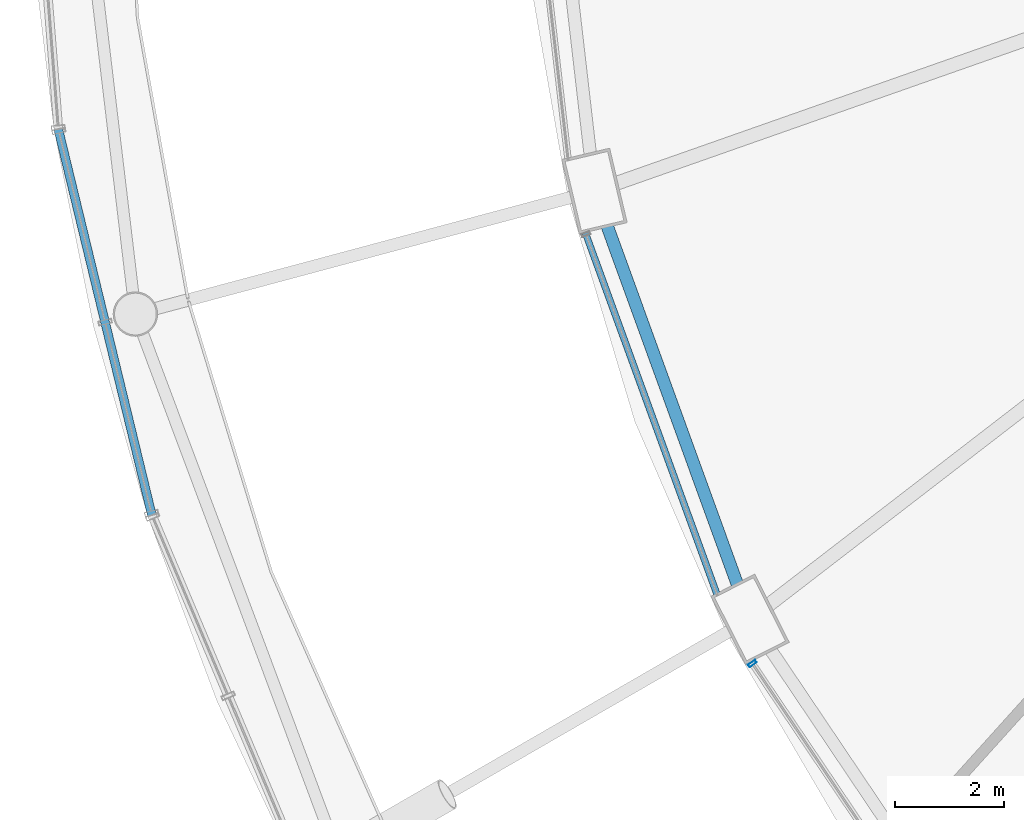
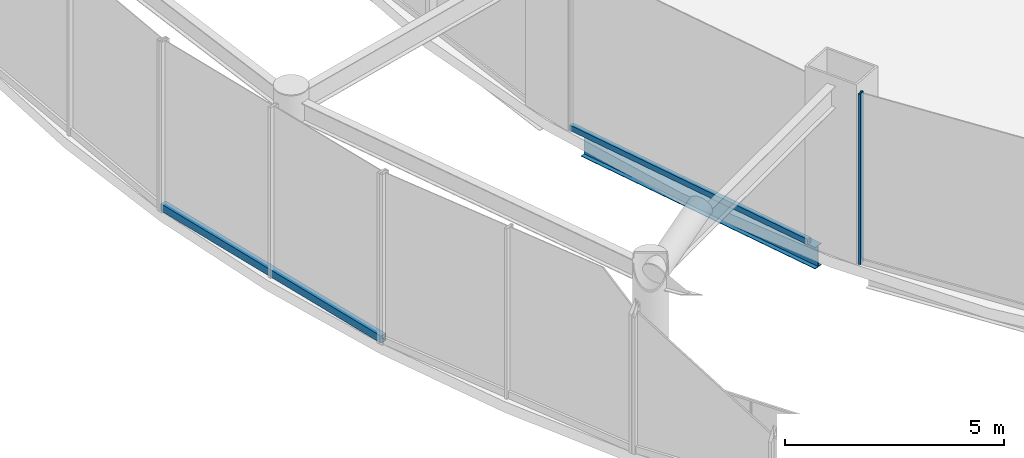
# One storey, part 6 of 52: 3 members, 1 beam, 3 elements without a shape of their own.
"""IFC4 building model written with IfcOpenShell, lengths in metres."""

from ifc_helpers import new_model, si_unit, direction, frame, origin, origin_2d, place, context, subcontext, project, spatial, hollow_rectangle, i_section, extrude, material, layer, layer_set, material_profile, profile_set, type_object, element, aggregate, save


model = new_model("IFC4")

# Units and contexts
model_context = context("Model", 3, precision=1e-05, world=origin(), true_north=direction((0.0, 1.0)))
body_context = subcontext(model_context, "Body", "Model", "MODEL_VIEW")
ifc_project = project(units=[si_unit("LENGTHUNIT", "METRE"), si_unit("AREAUNIT", "SQUARE_METRE"), si_unit("VOLUMEUNIT", "CUBIC_METRE"), si_unit("PLANEANGLEUNIT", "RADIAN"), si_unit("MASSUNIT", "GRAM", prefix="KILO")], contexts=[model_context])

# Site, building, storey
site_placement = place(None, origin())
site = spatial("IfcSite", under=ifc_project, at=site_placement, CompositionType="ELEMENT")
building_placement = place(site_placement, origin())
building = spatial("IfcBuilding", under=site, at=building_placement, Name="Nagisa Residences", CompositionType="ELEMENT")
storey_placement = place(building_placement, frame((0.0, 0.0, 22.0)))
storey = spatial("IfcBuildingStorey", under=building, at=storey_placement, Name="L04", CompositionType="ELEMENT", Elevation=22.0)

# Curtain wall, member
ifc_material_1 = material(Name="Stainless steel curtain wall system", Category="steel")
ifc_layer_1 = layer(ifc_material_1, 0.159912109375)
ifc_layer_set_1 = layer_set([ifc_layer_1], Name="CW3 CURTAIN WALL")
curtain_wall_type_1 = type_object("IfcCurtainWallType", Name="CW3 CURTAIN WALL", PredefinedType="NOTDEFINED", material=ifc_layer_set_1)
curtain_wall_1_placement = place(storey_placement, origin())
curtain_wall_1 = element("IfcCurtainWall", 1, at=curtain_wall_1_placement, inside=storey, type_object=curtain_wall_type_1, Name="cw:CW3:L04:19", PredefinedType="NOTDEFINED")
ifc_material_2 = material(Name="Stainless steel", Category="steel")
ifc_material_profile_1 = material_profile(ifc_material_2, hollow_rectangle(XDim=0.159912109375, YDim=0.199951171875, WallThickness=0.008056640625, at=origin_2d()), Name="CW3 TRANSOM 160x200")
ifc_profile_set_1 = profile_set([ifc_material_profile_1], Name="Stainless steel")
member_type_1 = type_object("IfcMemberType", Name="CW3 TRANSOM 160x200", PredefinedType="USERDEFINED", material=ifc_profile_set_1)
member_1_placement = place(storey_placement, frame((-33.744873046875, -7.2744140625, 0.10009765625), z_axis=(0.235605787455, -0.971848708863, 0.0), x_axis=(0.971848708863, 0.235605787455, 0.0)))
member_1 = element("IfcMember", 2, at=member_1_placement, type_object=member_type_1, Name="CW3 transom", ObjectType="TRANSOM", PredefinedType="USERDEFINED", context=body_context, shape_type="SweptSolid", body=[
    extrude(hollow_rectangle(XDim=0.159912109375, YDim=0.199951171875, WallThickness=0.008056640625, at=origin_2d()), origin(), (0.0, 0.0, 1.0), 7.2763671875),
])
aggregate(curtain_wall_1, [member_1])

ifc_material_3 = material(Name="Stainless steel curtain wall system", Category="steel")
ifc_layer_2 = layer(ifc_material_3, 0.159912109375)
ifc_layer_set_2 = layer_set([ifc_layer_2], Name="CW6 CURTAIN WALL")
curtain_wall_type_2 = type_object("IfcCurtainWallType", Name="CW6 CURTAIN WALL", PredefinedType="NOTDEFINED", material=ifc_layer_set_2)
curtain_wall_2_placement = place(storey_placement, origin())
curtain_wall_2 = element("IfcCurtainWall", 3, at=curtain_wall_2_placement, inside=storey, type_object=curtain_wall_type_2, Name="cw:CW6:L04:28", PredefinedType="NOTDEFINED")
ifc_material_4 = material(Name="Stainless steel", Category="steel")
ifc_material_profile_2 = material_profile(ifc_material_4, hollow_rectangle(XDim=0.159912109375, YDim=0.06005859375, WallThickness=0.006103515625, at=origin_2d()), Name="CW6 MULLION 160x60")
ifc_profile_set_2 = profile_set([ifc_material_profile_2], Name="Stainless steel")
member_type_2 = type_object("IfcMemberType", Name="CW6 MULLION 160x60", PredefinedType="MULLION", material=ifc_profile_set_2)
member_2_placement = place(storey_placement, frame((-21.040283203125, -17.060546875, 0.0), z_axis=(0.0, 0.0, 1.0), x_axis=(0.829110926393, 0.559084136544, 0.0)))
member_2 = element("IfcMember", 4, at=member_2_placement, type_object=member_type_2, Name="CW6 mullion", PredefinedType="MULLION", context=body_context, shape_type="SweptSolid", body=[
    extrude(hollow_rectangle(XDim=0.159912109375, YDim=0.06005859375, WallThickness=0.006103515625, at=origin_2d()), origin(), (0.0, 0.0, 1.0), 4.739990234375),
])
aggregate(curtain_wall_2, [member_2])

curtain_wall_3_placement = place(storey_placement, origin())
curtain_wall_3 = element("IfcCurtainWall", 5, at=curtain_wall_3_placement, inside=storey, type_object=curtain_wall_type_2, Name="cw:CW6:L04:26", PredefinedType="NOTDEFINED")
ifc_material_5 = material(Name="Stainless steel", Category="steel")
ifc_material_profile_3 = material_profile(ifc_material_5, hollow_rectangle(XDim=0.1201171875, YDim=0.14990234375, WallThickness=0.008056640625, at=origin_2d()), Name="CW6 TRANSOM 120x150")
ifc_profile_set_3 = profile_set([ifc_material_profile_3], Name="Stainless steel")
member_type_3 = type_object("IfcMemberType", Name="CW6 TRANSOM 120x150", PredefinedType="USERDEFINED", material=ifc_profile_set_3)
member_3_placement = place(storey_placement, frame((-24.09716796875, -9.17138671875, 0.074951171875), z_axis=(0.342039719013, -0.939685495587, 0.0), x_axis=(0.939685495587, 0.342039719013, 0.0)))
member_3 = element("IfcMember", 6, at=member_3_placement, type_object=member_type_3, Name="CW6 transom", ObjectType="TRANSOM", PredefinedType="USERDEFINED", context=body_context, shape_type="SweptSolid", body=[
    extrude(hollow_rectangle(XDim=0.1201171875, YDim=0.14990234375, WallThickness=0.008056640625, at=origin_2d()), origin(), (0.0, 0.0, 1.0), 7.070068359375),
])
aggregate(curtain_wall_3, [member_3])

# Beam
ifc_material_6 = material(Name="Steel ASTM A572 Gr 50", Category="steel")
ifc_material_profile_4 = material_profile(ifc_material_6, i_section(OverallWidth=0.22802734375, OverallDepth=0.60302734375, WebThickness=0.010498046875, FlangeThickness=0.014892578125, at=origin_2d()), Name="W610x101")
ifc_profile_set_4 = profile_set([ifc_material_profile_4], Name="Steel ASTM A572 Gr 50")
beam_type = type_object("IfcBeamType", Name="Perimeter ring beam W610x101", PredefinedType="BEAM", material=ifc_profile_set_4)
beam_placement = place(storey_placement, frame((-23.695068359375, -9.055419921875, -0.6015625), z_axis=(0.341411143183, -0.939914055279, 0.0), x_axis=(0.939914055279, 0.341411143183, 0.0)))
element("IfcBeam", 7, at=beam_placement, inside=storey, type_object=beam_type, Name="beam:L04:pb14", PredefinedType="BEAM", context=body_context, shape_type="SweptSolid", body=[
    extrude(i_section(OverallWidth=0.22802734375, OverallDepth=0.60302734375, WebThickness=0.010498046875, FlangeThickness=0.014892578125, at=origin_2d()), origin(), (0.0, 0.0, 1.0), 6.96923828125),
])

save(model, "model.ifc")
